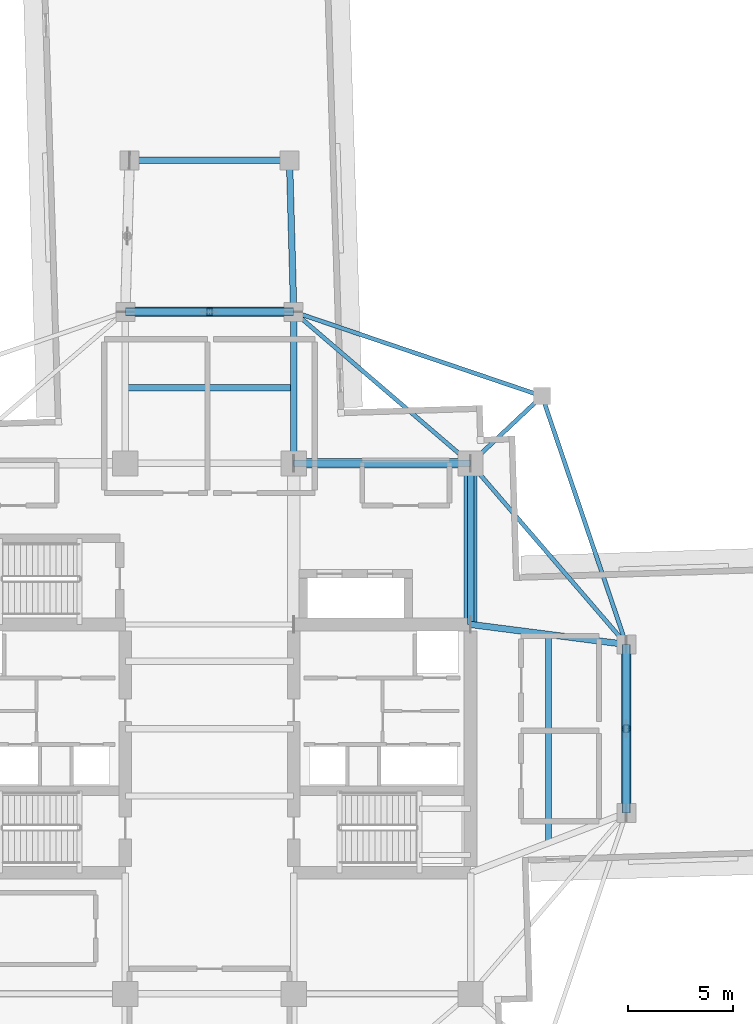
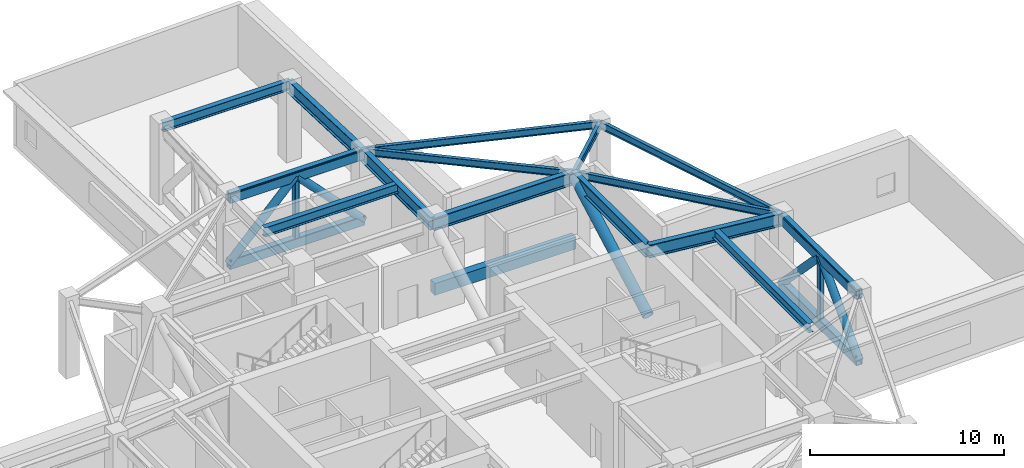
# One storey, part 5 of 17: 16 beams, 11 members.
"""IFC4 building model written with IfcOpenShell, lengths in metres."""

from ifc_helpers import new_model, si_unit, direction, frame, origin, origin_2d, place, context, subcontext, project, spatial, rectangle, hollow_rectangle, hollow_circle, i_section, extrude, material, material_profile, profile_set, type_object, element, save


model = new_model("IFC4")

# Units and contexts
model_context = context("Model", 3, precision=1e-05, world=origin(), true_north=direction((0.0, 1.0)))
body_context = subcontext(model_context, "Body", "Model", "MODEL_VIEW")
ifc_project = project(units=[si_unit("LENGTHUNIT", "METRE"), si_unit("AREAUNIT", "SQUARE_METRE"), si_unit("VOLUMEUNIT", "CUBIC_METRE"), si_unit("PLANEANGLEUNIT", "RADIAN"), si_unit("MASSUNIT", "GRAM", prefix="KILO")], contexts=[model_context])

# Site, building, storey
site_placement = place(None, origin())
site = spatial("IfcSite", under=ifc_project, at=site_placement, CompositionType="ELEMENT")
building_placement = place(site_placement, origin())
building = spatial("IfcBuilding", under=site, at=building_placement, Name="Qingluan Cross Belvedere", CompositionType="ELEMENT")
storey_placement = place(building_placement, frame((0.0, 0.0, 191.699951171875)))
storey = spatial("IfcBuildingStorey", under=building, at=storey_placement, Name="L48", CompositionType="ELEMENT", Elevation=191.699951171875)

# Beam
ifc_material_1 = material(Name="Concrete C45", Category="concrete")
ifc_material_profile_1 = material_profile(ifc_material_1, rectangle(XDim=0.449951171875, YDim=0.75, at=origin_2d()), Name="RC450x750")
ifc_profile_set_1 = profile_set([ifc_material_profile_1], Name="Concrete C45")
beam_type_1 = type_object("IfcBeamType", Name="RC_Spandrel_RC450x750", PredefinedType="SPANDREL", material=ifc_profile_set_1)
beam_1_placement = place(storey_placement, frame((4.0, 12.60009765625, 0.400146484375), z_axis=(1.0, 0.0, 0.0), x_axis=(0.0, 1.0, 0.0)))
element("IfcBeam", 1, at=beam_1_placement, inside=storey, type_object=beam_type_1, Name="Perimeter RC spandrel beam L48-NE", PredefinedType="SPANDREL", context=body_context, shape_type="SweptSolid", body=[
    extrude(rectangle(XDim=0.449951171875, YDim=0.75, at=origin_2d()), origin(), (0.0, 0.0, 1.0), 8.39990234375),
])

# Members
ifc_material_2 = material(Name="Steel Q420GJB", Category="steel")
ifc_material_profile_2 = material_profile(ifc_material_2, hollow_circle(Radius=0.228515625, WallThickness=0.02001953125, at=origin_2d()), Name="CHS457x20")
ifc_profile_set_2 = profile_set([ifc_material_profile_2], Name="Steel Q420GJB")
member_type_1 = type_object("IfcMemberType", Name="SteelMember_BRACE_CHS457x20", PredefinedType="BRACE", material=ifc_profile_set_2)
for number, where, z_axis, x_axis, name in (
    (2, (19.800048828125, -4.0, 0.35009765625), (0.0, 0.693983482825, 0.719990920475), (-1.0, 0.0, 0.0), "Belt truss diagonal A L48-E"),
    (3, (19.800048828125, 4.0, 0.35009765625), (0.0, -0.693983482825, 0.719990920475), (1.0, 0.0, 0.0), "Belt truss diagonal B L48-E"),
    (4, (-4.0, 19.800048828125, 0.35009765625), (0.693983482825, 0.0, 0.719990920475), (0.0, 1.0, 0.0), "Belt truss diagonal A L48-N"),
    (5, (4.0, 19.800048828125, 0.35009765625), (-0.693983482825, 0.0, 0.719990920475), (0.0, -1.0, 0.0), "Belt truss diagonal B L48-N"),
):
    element("IfcMember", number, at=place(storey_placement, frame(where, z_axis=z_axis, x_axis=x_axis)), inside=storey, type_object=member_type_1, Name=name, PredefinedType="BRACE", context=body_context, shape_type="SweptSolid", body=[
        extrude(hollow_circle(Radius=0.228515625, WallThickness=0.02001953125, at=origin_2d()), origin(), (0.0, 0.0, 1.0), 5.763916015625),
    ])
ifc_material_3 = material(Name="Steel Q420GJB", Category="steel")
ifc_material_profile_3 = material_profile(ifc_material_3, hollow_circle(Radius=0.304931640625, WallThickness=0.028076171875, at=origin_2d()), Name="CHS610x28")
ifc_profile_set_3 = profile_set([ifc_material_profile_3], Name="Steel Q420GJB")
member_type_2 = type_object("IfcMemberType", Name="SteelMember_BRACE_CHS610x28", PredefinedType="BRACE", material=ifc_profile_set_3)
member_placement = place(storey_placement, frame((12.39990234375, 4.949951171875, 0.35009765625), z_axis=(0.0, 0.878999574006, 0.476822554937), x_axis=(-1.0, 0.0, 0.0)))
element("IfcMember", 6, at=member_placement, inside=storey, type_object=member_type_2, Name="Outrigger truss diagonal L48-OEN", PredefinedType="BRACE", context=body_context, shape_type="SweptSolid", body=[
    extrude(hollow_circle(Radius=0.304931640625, WallThickness=0.028076171875, at=origin_2d()), origin(), (0.0, 0.0, 1.0), 8.703125),
])
ifc_material_4 = material(Name="Steel Q420GJB", Category="steel")
ifc_material_profile_4 = material_profile(ifc_material_4, hollow_rectangle(XDim=0.39990234375, YDim=0.60009765625, WallThickness=0.02490234375, InnerFilletRadius=0.02490234375, OuterFilletRadius=0.050048828125, at=origin_2d()), Name="RHS600x400x25")
ifc_profile_set_4 = profile_set([ifc_material_profile_4], Name="Steel Q420GJB")
member_type_3 = type_object("IfcMemberType", Name="SteelMember_CHORD_RHS600x400x25", PredefinedType="CHORD", material=ifc_profile_set_4)
for number, where, z_axis, x_axis, name in (
    (7, (19.800048828125, -4.0, 0.35009765625), (0.0, 1.0, 0.0), (-1.0, 0.0, 0.0), "Belt truss bottom chord L48-E"),
    (8, (19.800048828125, -4.0, 4.5), (0.0, 1.0, 0.0), (-1.0, 0.0, 0.0), "Belt truss top chord L48-E"),
    (9, (-4.0, 19.800048828125, 0.35009765625), (1.0, 0.0, 0.0), (0.0, 1.0, 0.0), "Belt truss bottom chord L48-N"),
    (10, (-4.0, 19.800048828125, 4.5), (1.0, 0.0, 0.0), (0.0, 1.0, 0.0), "Belt truss top chord L48-N"),
):
    element("IfcMember", number, at=place(storey_placement, frame(where, z_axis=z_axis, x_axis=x_axis)), inside=storey, type_object=member_type_3, Name=name, PredefinedType="CHORD", context=body_context, shape_type="SweptSolid", body=[
        extrude(hollow_rectangle(XDim=0.39990234375, YDim=0.60009765625, WallThickness=0.02490234375, InnerFilletRadius=0.02490234375, OuterFilletRadius=0.050048828125, at=origin_2d()), origin(), (0.0, 0.0, 1.0), 8.0),
    ])
ifc_material_5 = material(Name="Steel Q420GJB", Category="steel")
ifc_material_profile_5 = material_profile(ifc_material_5, hollow_rectangle(XDim=0.25, YDim=0.35009765625, WallThickness=0.01611328125, InnerFilletRadius=0.01611328125, OuterFilletRadius=0.031982421875, at=origin_2d()), Name="RHS350x250x16")
ifc_profile_set_5 = profile_set([ifc_material_profile_5], Name="Steel Q420GJB")
member_type_4 = type_object("IfcMemberType", Name="SteelMember_POST_RHS350x250x16", PredefinedType="POST", material=ifc_profile_set_5)
for number, where, z_axis, x_axis, name in (
    (11, (19.800048828125, 0.0, 0.35009765625), (0.0, 0.0, 1.0), (1.0, 0.0, 0.0), "Belt truss mid-post L48-E"),
    (12, (0.0, 19.800048828125, 0.35009765625), (0.0, 0.0, 1.0), (1.0, 0.0, 0.0), "Belt truss mid-post L48-N"),
):
    element("IfcMember", number, at=place(storey_placement, frame(where, z_axis=z_axis, x_axis=x_axis)), inside=storey, type_object=member_type_4, Name=name, PredefinedType="POST", context=body_context, shape_type="SweptSolid", body=[
        extrude(hollow_rectangle(XDim=0.25, YDim=0.35009765625, WallThickness=0.01611328125, InnerFilletRadius=0.01611328125, OuterFilletRadius=0.031982421875, at=origin_2d()), origin(), (0.0, 0.0, 1.0), 4.14990234375),
    ])

# Beams
ifc_material_6 = material(Name="Steel Q420GJB", Category="steel")
ifc_material_profile_6 = material_profile(ifc_material_6, i_section(OverallWidth=0.300048828125, OverallDepth=0.587890625, WebThickness=0.011962890625, FlangeThickness=0.02001953125, FilletRadius=0.02392578125, at=origin_2d()), Name="HM588x300x12x20")
ifc_profile_set_6 = profile_set([ifc_material_profile_6], Name="Steel Q420GJB")
beam_type_2 = type_object("IfcBeamType", Name="Steel_Beam_HM588x300x12x20", PredefinedType="BEAM", material=ifc_profile_set_6)
beam_2_placement = place(storey_placement, frame((19.800048828125, -4.0, 4.55615234375), z_axis=(0.0, 1.0, 0.0), x_axis=(-1.0, 0.0, 0.0)))
element("IfcBeam", 13, at=beam_2_placement, inside=storey, type_object=beam_type_2, Name="Arm E tie L48", PredefinedType="BEAM", context=body_context, shape_type="SweptSolid", body=[
    extrude(i_section(OverallWidth=0.300048828125, OverallDepth=0.587890625, WebThickness=0.011962890625, FlangeThickness=0.02001953125, FilletRadius=0.02392578125, at=origin_2d()), origin(), (0.0, 0.0, 1.0), 8.0),
])
beam_3_placement = place(storey_placement, frame((16.10009765625, -5.425048828125, 4.55615234375), z_axis=(0.0, 1.0, 0.0), x_axis=(-1.0, 0.0, 0.0)))
element("IfcBeam", 14, at=beam_3_placement, inside=storey, type_object=beam_type_2, Name="Arm E beam L48", PredefinedType="BEAM", context=body_context, shape_type="SweptSolid", body=[
    extrude(i_section(OverallWidth=0.300048828125, OverallDepth=0.587890625, WebThickness=0.011962890625, FlangeThickness=0.02001953125, FilletRadius=0.02392578125, at=origin_2d()), origin(), (0.0, 0.0, 1.0), 9.900146484375),
])
for number, where, z_axis, x_axis, name in (
    (15, (-4.0, 19.800048828125, 4.55615234375), (1.0, 0.0, 0.0), (0.0, 1.0, 0.0), "Arm N tie L48"),
    (16, (-4.0, 16.199951171875, 4.55615234375), (1.0, 0.0, 0.0), (0.0, 1.0, 0.0), "Arm N beam L48"),
):
    element("IfcBeam", number, at=place(storey_placement, frame(where, z_axis=z_axis, x_axis=x_axis)), inside=storey, type_object=beam_type_2, Name=name, PredefinedType="BEAM", context=body_context, shape_type="SweptSolid", body=[
        extrude(i_section(OverallWidth=0.300048828125, OverallDepth=0.587890625, WebThickness=0.011962890625, FlangeThickness=0.02001953125, FilletRadius=0.02392578125, at=origin_2d()), origin(), (0.0, 0.0, 1.0), 8.0),
    ])
beam_4_placement = place(storey_placement, frame((-3.800048828125, 27.0, 4.55615234375), z_axis=(1.0, 0.0, 0.0), x_axis=(0.0, 1.0, 0.0)))
element("IfcBeam", 17, at=beam_4_placement, inside=storey, type_object=beam_type_2, Name="Arm N tip transverse beam L48", PredefinedType="BEAM", context=body_context, shape_type="SweptSolid", body=[
    extrude(i_section(OverallWidth=0.300048828125, OverallDepth=0.587890625, WebThickness=0.011962890625, FlangeThickness=0.02001953125, FilletRadius=0.02392578125, at=origin_2d()), origin(), (0.0, 0.0, 1.0), 7.60009765625),
])
ifc_material_7 = material(Name="Steel Q420GJB", Category="steel")
ifc_material_profile_7 = material_profile(ifc_material_7, i_section(OverallWidth=0.199951171875, OverallDepth=0.449951171875, WebThickness=0.009033203125, FlangeThickness=0.013916015625, FilletRadius=0.01611328125, at=origin_2d()), Name="HN450x200x9x14")
ifc_profile_set_7 = profile_set([ifc_material_profile_7], Name="Steel Q420GJB")
beam_type_3 = type_object("IfcBeamType", Name="Steel_Beam_HN450x200x9x14", PredefinedType="JOIST", material=ifc_profile_set_7)
beam_5_placement = place(storey_placement, frame((12.39990234375, 12.60009765625, 4.625), z_axis=(0.728219948308, 0.685343495546, 0.0), x_axis=(-0.685343495546, 0.728219948308, 0.0)))
element("IfcBeam", 18, at=beam_5_placement, inside=storey, type_object=beam_type_3, Name="Corner beam 1 L48-RNE", PredefinedType="JOIST", context=body_context, shape_type="SweptSolid", body=[
    extrude(i_section(OverallWidth=0.199951171875, OverallDepth=0.449951171875, WebThickness=0.009033203125, FlangeThickness=0.013916015625, FilletRadius=0.01611328125, at=origin_2d()), origin(), (0.0, 0.0, 1.0), 4.669189453125),
])
for number, where, z_axis, x_axis, name in (
    (19, (15.800048828125, 15.800048828125, 4.625), (-0.947066283324, 0.321038089628, 0.0), (-0.321038089628, -0.947066283324, 0.0), "Corner beam 2 L48-RNE"),
    (20, (15.800048828125, 15.800048828125, 4.625), (0.321038089628, -0.947066283324, 0.0), (0.947066283324, 0.321038089628, 0.0), "Corner beam 3 L48-RNE"),
):
    element("IfcBeam", number, at=place(storey_placement, frame(where, z_axis=z_axis, x_axis=x_axis)), inside=storey, type_object=beam_type_3, Name=name, PredefinedType="JOIST", context=body_context, shape_type="SweptSolid", body=[
        extrude(i_section(OverallWidth=0.199951171875, OverallDepth=0.449951171875, WebThickness=0.009033203125, FlangeThickness=0.013916015625, FilletRadius=0.01611328125, at=origin_2d()), origin(), (0.0, 0.0, 1.0), 12.45947265625),
    ])
beam_6_placement = place(storey_placement, frame((12.39990234375, 12.60009765625, 4.625), z_axis=(0.652245077546, -0.75800815221, 0.0), x_axis=(0.75800815221, 0.652245077546, 0.0)))
element("IfcBeam", 21, at=beam_6_placement, inside=storey, type_object=beam_type_3, Name="Corner beam 4 L48-RNE", PredefinedType="JOIST", context=body_context, shape_type="SweptSolid", body=[
    extrude(i_section(OverallWidth=0.199951171875, OverallDepth=0.449951171875, WebThickness=0.009033203125, FlangeThickness=0.013916015625, FilletRadius=0.01611328125, at=origin_2d()), origin(), (0.0, 0.0, 1.0), 11.345703125),
])
beam_7_placement = place(storey_placement, frame((12.39990234375, 12.60009765625, 4.625), z_axis=(-0.759255044656, 0.650793190779, 0.0), x_axis=(-0.650793190779, -0.759255044656, 0.0)))
element("IfcBeam", 22, at=beam_7_placement, inside=storey, type_object=beam_type_3, Name="Corner beam 5 L48-RNE", PredefinedType="JOIST", context=body_context, shape_type="SweptSolid", body=[
    extrude(i_section(OverallWidth=0.199951171875, OverallDepth=0.449951171875, WebThickness=0.009033203125, FlangeThickness=0.013916015625, FilletRadius=0.01611328125, at=origin_2d()), origin(), (0.0, 0.0, 1.0), 11.063232421875),
])
ifc_material_8 = material(Name="Steel Q420GJB", Category="steel")
ifc_material_profile_8 = material_profile(ifc_material_8, i_section(OverallWidth=0.305908203125, OverallDepth=0.81396484375, WebThickness=0.02099609375, FlangeThickness=0.0400390625, FilletRadius=0.030029296875, at=origin_2d()), Name="HEM800")
ifc_profile_set_8 = profile_set([ifc_material_profile_8], Name="Steel Q420GJB")
beam_type_4 = type_object("IfcBeamType", Name="Steel_Girder_HEM800", PredefinedType="USERDEFINED", material=ifc_profile_set_8)
beam_8_placement = place(storey_placement, frame((4.0, 12.60009765625, 4.443115234375), z_axis=(1.0, 0.0, 0.0), x_axis=(0.0, 1.0, 0.0)))
element("IfcBeam", 23, at=beam_8_placement, inside=storey, type_object=beam_type_4, Name="Hub girder L48-HG-N3", ObjectType="GIRDER", PredefinedType="USERDEFINED", context=body_context, shape_type="SweptSolid", body=[
    extrude(i_section(OverallWidth=0.305908203125, OverallDepth=0.81396484375, WebThickness=0.02099609375, FlangeThickness=0.0400390625, FilletRadius=0.030029296875, at=origin_2d()), origin(), (0.0, 0.0, 1.0), 8.39990234375),
])
beam_9_placement = place(storey_placement, frame((12.39990234375, 4.949951171875, 4.443115234375), z_axis=(0.0, 1.0, 0.0), x_axis=(-1.0, 0.0, 0.0)))
element("IfcBeam", 24, at=beam_9_placement, inside=storey, type_object=beam_type_4, Name="Hub girder L48-HG-E2", ObjectType="GIRDER", PredefinedType="USERDEFINED", context=body_context, shape_type="SweptSolid", body=[
    extrude(i_section(OverallWidth=0.305908203125, OverallDepth=0.81396484375, WebThickness=0.02099609375, FlangeThickness=0.0400390625, FilletRadius=0.030029296875, at=origin_2d()), origin(), (0.0, 0.0, 1.0), 7.650146484375),
])
beam_10_placement = place(storey_placement, frame((12.39990234375, 4.949951171875, 4.443115234375), z_axis=(0.991861120628, -0.12732445714, 0.0), x_axis=(0.12732445714, 0.991861120628, 0.0)))
element("IfcBeam", 25, at=beam_10_placement, inside=storey, type_object=beam_type_4, Name="Arm E radial girder B L48", ObjectType="GIRDER", PredefinedType="USERDEFINED", context=body_context, shape_type="SweptSolid", body=[
    extrude(i_section(OverallWidth=0.305908203125, OverallDepth=0.81396484375, WebThickness=0.02099609375, FlangeThickness=0.0400390625, FilletRadius=0.030029296875, at=origin_2d()), origin(), (0.0, 0.0, 1.0), 7.4609375),
])
beam_11_placement = place(storey_placement, frame((4.0, 12.60009765625, 4.443115234375), z_axis=(0.0, 1.0, 0.0), x_axis=(-1.0, 0.0, 0.0)))
element("IfcBeam", 26, at=beam_11_placement, inside=storey, type_object=beam_type_4, Name="Arm N radial girder B L48", ObjectType="GIRDER", PredefinedType="USERDEFINED", context=body_context, shape_type="SweptSolid", body=[
    extrude(i_section(OverallWidth=0.305908203125, OverallDepth=0.81396484375, WebThickness=0.02099609375, FlangeThickness=0.0400390625, FilletRadius=0.030029296875, at=origin_2d()), origin(), (0.0, 0.0, 1.0), 7.199951171875),
])
beam_12_placement = place(storey_placement, frame((4.0, 19.800048828125, 4.443115234375), z_axis=(-0.027760481514, 0.999614603568, 0.0), x_axis=(-0.999614603568, -0.027760481514, 0.0)))
element("IfcBeam", 27, at=beam_12_placement, inside=storey, type_object=beam_type_4, Name="Arm N outer radial girder B L48", ObjectType="GIRDER", PredefinedType="USERDEFINED", context=body_context, shape_type="SweptSolid", body=[
    extrude(i_section(OverallWidth=0.305908203125, OverallDepth=0.81396484375, WebThickness=0.02099609375, FlangeThickness=0.0400390625, FilletRadius=0.030029296875, at=origin_2d()), origin(), (0.0, 0.0, 1.0), 7.20263671875),
])

save(model, "model.ifc")
